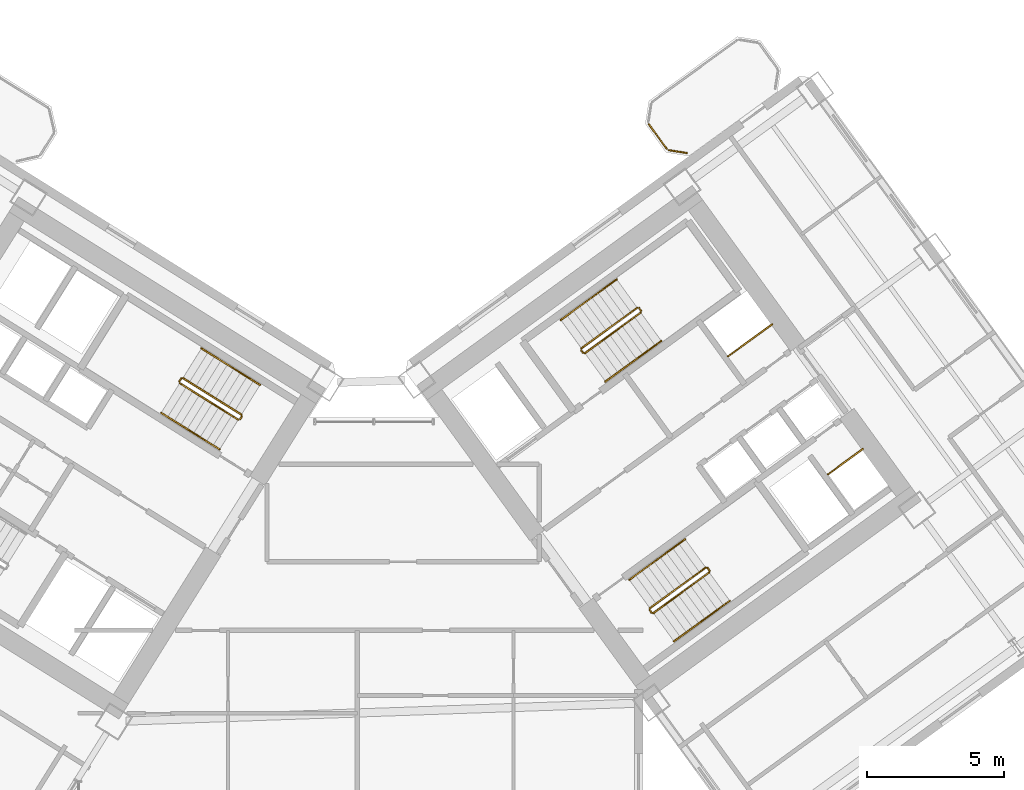
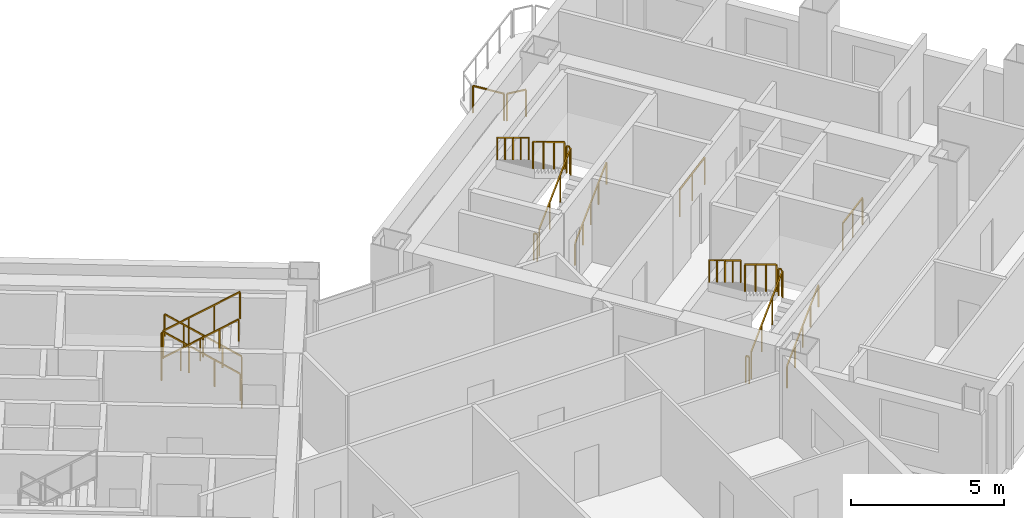
# One storey, part 23 of 24: 28 railings.
"""IFC4 building model written with IfcOpenShell, lengths in metres."""

from ifc_helpers import new_model, si_unit, direction, frame, origin, origin_2d, place, context, subcontext, project, spatial, rectangle, extrude, source, transform, mapped, material, type_object, element, save


model = new_model("IFC4")

# Units and contexts
model_context = context("Model", 3, precision=1e-05, world=origin(), true_north=direction((0.0, 1.0)))
body_context = subcontext(model_context, "Body", "Model", "MODEL_VIEW")
ifc_project = project(units=[si_unit("LENGTHUNIT", "METRE"), si_unit("AREAUNIT", "SQUARE_METRE"), si_unit("VOLUMEUNIT", "CUBIC_METRE"), si_unit("PLANEANGLEUNIT", "RADIAN"), si_unit("MASSUNIT", "GRAM", prefix="KILO")], contexts=[model_context])

# Site, building, storey
site_placement = place(None, origin())
site = spatial("IfcSite", under=ifc_project, at=site_placement, CompositionType="ELEMENT")
building_placement = place(site_placement, origin())
building = spatial("IfcBuilding", under=site, at=building_placement, Name="Tlacorven Tower", CompositionType="ELEMENT")
storey_placement = place(building_placement, frame((0.0, 0.0, 45.60009765625)))
storey = spatial("IfcBuildingStorey", under=building, at=storey_placement, Name="L11", CompositionType="ELEMENT", Elevation=45.60009765625)

# Railings
ifc_material = material(Name="Aluminium and painted steel balustrade", Category="steel")
railing_type_1 = type_object("IfcRailingType", Name="RL-GRD-1100", PredefinedType="GUARDRAIL", material=ifc_material)
shared_shape_1 = source(origin(), body_context, "Body", "SweptSolid", [
    extrude(rectangle(XDim=0.048095703125, YDim=0.048095703125, at=origin_2d()), frame((0.0, 0.0, 1.076171875), z_axis=(0.808947177504, 0.587881334972, 0.0), x_axis=(-0.587881334972, 0.808947177504, 0.0)), (0.0, 0.0, 1.0), 2.0),
    extrude(rectangle(XDim=0.0419921875, YDim=0.0419921875, at=origin_2d()), origin(), (0.0, 0.0, 1.0), 1.052001953125),
    extrude(rectangle(XDim=0.0419921875, YDim=0.0419921875, at=origin_2d()), frame((0.80908203125, 0.587890625, 0.0)), (0.0, 0.0, 1.0), 1.052001953125),
    extrude(rectangle(XDim=0.0419921875, YDim=0.0419921875, at=origin_2d()), frame((1.617919921875, 1.17578125, 0.0)), (0.0, 0.0, 1.0), 1.052001953125),
])
railing_1_placement = place(storey_placement, frame((55.506103515625, 25.438232421875, 0.0)))
element("IfcRailing", 1, at=railing_1_placement, inside=storey, type_object=railing_type_1, Name="L11 Electrical Riser E Shaft Guard 1", PredefinedType="GUARDRAIL", context=body_context, shape_type="MappedRepresentation", body=[
    mapped(shared_shape_1, transform((0.0, 0.0, 0.0), scale=1.0)),
])
shared_shape_2 = source(origin(), body_context, "Body", "SweptSolid", [
    extrude(rectangle(XDim=0.048095703125, YDim=0.048095703125, at=origin_2d()), frame((0.0, 0.0, 1.076171875), z_axis=(0.809029975545, 0.58776738483, 0.0), x_axis=(-0.58776738483, 0.809029975545, 0.0)), (0.0, 0.0, 1.0), 1.580078125),
    extrude(rectangle(XDim=0.0419921875, YDim=0.0419921875, at=origin_2d()), origin(), (0.0, 0.0, 1.0), 1.052001953125),
    extrude(rectangle(XDim=0.0419921875, YDim=0.0419921875, at=origin_2d()), frame((0.63916015625, 0.46435546875, 0.0)), (0.0, 0.0, 1.0), 1.052001953125),
    extrude(rectangle(XDim=0.0419921875, YDim=0.0419921875, at=origin_2d()), frame((1.2783203125, 0.9287109375, 0.0)), (0.0, 0.0, 1.0), 1.052001953125),
])
railing_2_placement = place(storey_placement, frame((59.160888671875, 21.122314453125, 0.0)))
element("IfcRailing", 2, at=railing_2_placement, inside=storey, type_object=railing_type_1, Name="L11 Smoke Riser E Shaft Guard 1", PredefinedType="GUARDRAIL", context=body_context, shape_type="MappedRepresentation", body=[
    mapped(shared_shape_2, transform((0.0, 0.0, 0.0), scale=1.0)),
])
railing_type_2 = type_object("IfcRailingType", Name="RL-BAL-1100", PredefinedType="BALUSTRADE", material=ifc_material)
shared_shape_3 = source(origin(), body_context, "Body", "SweptSolid", [
    extrude(rectangle(XDim=0.048095703125, YDim=0.048095703125, at=origin_2d()), frame((0.0, 0.0, 1.076171875), z_axis=(-0.987718317463, 0.156245081039, 0.0), x_axis=(-0.156245081039, -0.987718317463, 0.0)), (0.0, 0.0, 1.0), 0.66552734375),
    extrude(rectangle(XDim=0.0419921875, YDim=0.0419921875, at=origin_2d()), origin(), (0.0, 0.0, 1.0), 1.052001953125),
    extrude(rectangle(XDim=0.0419921875, YDim=0.0419921875, at=origin_2d()), frame((-0.657470703125, 0.10400390625, 0.0)), (0.0, 0.0, 1.0), 1.052001953125),
])
railing_3_placement = place(storey_placement, frame((54.00341796875, 32.8759765625, 0.0)))
element("IfcRailing", 3, at=railing_3_placement, inside=storey, type_object=railing_type_2, Name="BAL-L11-E-IN Guard Railing 1", PredefinedType="BALUSTRADE", context=body_context, shape_type="MappedRepresentation", body=[
    mapped(shared_shape_3, transform((0.0, 0.0, 0.0), scale=1.0)),
])
shared_shape_4 = source(origin(), body_context, "Body", "SweptSolid", [
    extrude(rectangle(XDim=0.048095703125, YDim=0.048095703125, at=origin_2d()), frame((0.0, 0.0, 1.076171875), z_axis=(-0.587740817519, 0.809049276263, 0.0), x_axis=(-0.809049276263, -0.587740817519, 0.0)), (0.0, 0.0, 1.0), 1.112060546875),
    extrude(rectangle(XDim=0.0419921875, YDim=0.0419921875, at=origin_2d()), origin(), (0.0, 0.0, 1.0), 1.052001953125),
    extrude(rectangle(XDim=0.0419921875, YDim=0.0419921875, at=origin_2d()), frame((-0.653564453125, 0.899658203125, 0.0)), (0.0, 0.0, 1.0), 1.052001953125),
])
railing_4_placement = place(storey_placement, frame((53.26708984375, 33.0283203125, 0.0)))
element("IfcRailing", 4, at=railing_4_placement, inside=storey, type_object=railing_type_2, Name="BAL-L11-E-IN Guard Railing 2", PredefinedType="BALUSTRADE", context=body_context, shape_type="MappedRepresentation", body=[
    mapped(shared_shape_4, transform((0.0, 0.0, 0.0), scale=1.0)),
])
shared_shape_5 = source(origin(), body_context, "Body", "SweptSolid", [
    extrude(rectangle(XDim=0.048095703125, YDim=0.048095703125, at=origin_2d()), frame((0.0, 0.0, 1.076171875), z_axis=(-0.530546985787, -0.847655529016, 0.0), x_axis=(0.847655529016, -0.530546985787, 0.0)), (0.0, 0.0, 1.0), 0.1201171875),
    extrude(rectangle(XDim=0.0419921875, YDim=0.0419921875, at=origin_2d()), origin(), (0.0, 0.0, 1.0), 1.052001953125),
    extrude(rectangle(XDim=0.0419921875, YDim=0.0419921875, at=origin_2d()), frame((-0.063720703125, -0.101806640625, 0.0)), (0.0, 0.0, 1.0), 1.052001953125),
])
railing_5_placement = place(storey_placement, frame((37.728271484375, 23.24072265625, 0.0)))
element("IfcRailing", 5, at=railing_5_placement, inside=storey, type_object=railing_type_1, Name="L11 ST-W2 stair guard 4", PredefinedType="GUARDRAIL", context=body_context, shape_type="MappedRepresentation", body=[
    mapped(shared_shape_5, transform((0.0, 0.0, 0.0), scale=1.0)),
])
railing_type_3 = type_object("IfcRailingType", Name="RL-HND-0900", PredefinedType="HANDRAIL", material=ifc_material)
shared_shape_6 = source(origin(), body_context, "Body", "SweptSolid", [
    extrude(rectangle(XDim=0.048095703125, YDim=0.048095703125, at=origin_2d()), frame((0.0, 0.0, 0.8759765625), z_axis=(-0.713359751793, 0.4457479829, 0.540764828981), x_axis=(-0.529911857636, -0.848052724267, 0.0)), (0.0, 0.0, 1.0), 1.498046875),
    extrude(rectangle(XDim=0.0419921875, YDim=0.0419921875, at=origin_2d()), origin(), (0.0, 0.0, 1.0), 0.851806640625),
    extrude(rectangle(XDim=0.0419921875, YDim=0.0419921875, at=origin_2d()), frame((-0.5341796875, 0.333984375, 0.405029296875)), (0.0, 0.0, 1.0), 0.851806640625),
    extrude(rectangle(XDim=0.0419921875, YDim=0.0419921875, at=origin_2d()), frame((-1.068603515625, 0.667724609375, 0.81005859375)), (0.0, 0.0, 1.0), 0.851806640625),
])
railing_6_placement = place(storey_placement, frame((38.390625, 24.39501953125, 0.179931640625)))
element("IfcRailing", 6, at=railing_6_placement, inside=storey, type_object=railing_type_3, Name="L11 ST-W2 stair handrail 1", PredefinedType="HANDRAIL", context=body_context, shape_type="MappedRepresentation", body=[
    mapped(shared_shape_6, transform((0.0, 0.0, 0.0), scale=1.0)),
])
shared_shape_7 = source(origin(), body_context, "Body", "SweptSolid", [
    extrude(rectangle(XDim=0.048095703125, YDim=0.048095703125, at=origin_2d()), frame((0.0, 0.0, 0.8759765625), z_axis=(0.713359751793, -0.4457479829, 0.540764828981), x_axis=(0.529911857636, 0.848052724267, 0.0)), (0.0, 0.0, 1.0), 1.498046875),
    extrude(rectangle(XDim=0.0419921875, YDim=0.0419921875, at=origin_2d()), origin(), (0.0, 0.0, 1.0), 0.851806640625),
    extrude(rectangle(XDim=0.0419921875, YDim=0.0419921875, at=origin_2d()), frame((0.5341796875, -0.333984375, 0.405029296875)), (0.0, 0.0, 1.0), 0.851806640625),
    extrude(rectangle(XDim=0.0419921875, YDim=0.0419921875, at=origin_2d()), frame((1.068603515625, -0.667724609375, 0.81005859375)), (0.0, 0.0, 1.0), 0.851806640625),
])
railing_7_placement = place(storey_placement, frame((35.848876953125, 22.705078125, 2.789794921875)))
element("IfcRailing", 7, at=railing_7_placement, inside=storey, type_object=railing_type_3, Name="L11 ST-W2 stair handrail 4", PredefinedType="HANDRAIL", context=body_context, shape_type="MappedRepresentation", body=[
    mapped(shared_shape_7, transform((0.0, 0.0, 0.0), scale=1.0)),
])
shared_shape_8 = source(origin(), body_context, "Body", "SweptSolid", [
    extrude(rectangle(XDim=0.048095703125, YDim=0.048095703125, at=origin_2d()), frame((0.0, 0.0, 1.076171875), z_axis=(-0.713351164325, 0.445793541512, 0.540738601085), x_axis=(-0.529955395941, -0.84802551749, 0.0)), (0.0, 0.0, 1.0), 2.99560546875),
    extrude(rectangle(XDim=0.0419921875, YDim=0.0419921875, at=origin_2d()), origin(), (0.0, 0.0, 1.0), 1.052001953125),
    extrude(rectangle(XDim=0.0419921875, YDim=0.0419921875, at=origin_2d()), frame((-0.71240234375, 0.445068359375, 0.5400390625)), (0.0, 0.0, 1.0), 1.052001953125),
    extrude(rectangle(XDim=0.0419921875, YDim=0.0419921875, at=origin_2d()), frame((-1.424560546875, 0.890380859375, 1.079833984375)), (0.0, 0.0, 1.0), 1.052001953125),
    extrude(rectangle(XDim=0.0419921875, YDim=0.0419921875, at=origin_2d()), frame((-2.136962890625, 1.33544921875, 1.619873046875)), (0.0, 0.0, 1.0), 1.052001953125),
])
railing_8_placement = place(storey_placement, frame((37.712158203125, 23.3095703125, 0.179931640625)))
element("IfcRailing", 8, at=railing_8_placement, inside=storey, type_object=railing_type_1, Name="L11 ST-W2 stair guard 1", PredefinedType="GUARDRAIL", context=body_context, shape_type="MappedRepresentation", body=[
    mapped(shared_shape_8, transform((0.0, 0.0, 0.0), scale=1.0)),
])
shared_shape_9 = source(origin(), body_context, "Body", "SweptSolid", [
    extrude(rectangle(XDim=0.048095703125, YDim=0.048095703125, at=origin_2d()), frame((0.0, 0.0, 0.8759765625), z_axis=(-0.713422621445, 0.445787267455, 0.540649494022), x_axis=(-0.529911857636, -0.848052724267, 0.0)), (0.0, 0.0, 1.0), 1.497802734375),
    extrude(rectangle(XDim=0.0419921875, YDim=0.0419921875, at=origin_2d()), origin(), (0.0, 0.0, 1.0), 0.851806640625),
    extrude(rectangle(XDim=0.0419921875, YDim=0.0419921875, at=origin_2d()), frame((-0.5341796875, 0.333984375, 0.40478515625)), (0.0, 0.0, 1.0), 0.851806640625),
    extrude(rectangle(XDim=0.0419921875, YDim=0.0419921875, at=origin_2d()), frame((-1.068603515625, 0.667724609375, 0.809814453125)), (0.0, 0.0, 1.0), 0.851806640625),
])
railing_9_placement = place(storey_placement, frame((37.322021484375, 25.062744140625, 0.989990234375)))
element("IfcRailing", 9, at=railing_9_placement, inside=storey, type_object=railing_type_3, Name="L11 ST-W2 stair handrail 2", PredefinedType="HANDRAIL", context=body_context, shape_type="MappedRepresentation", body=[
    mapped(shared_shape_9, transform((0.0, 0.0, 0.0), scale=1.0)),
])
shared_shape_10 = source(origin(), body_context, "Body", "SweptSolid", [
    extrude(rectangle(XDim=0.048095703125, YDim=0.048095703125, at=origin_2d()), frame((0.0, 0.0, 0.8759765625), z_axis=(0.713422621445, -0.445787267455, 0.540649494022), x_axis=(0.529911857636, 0.848052724267, 0.0)), (0.0, 0.0, 1.0), 1.497802734375),
    extrude(rectangle(XDim=0.0419921875, YDim=0.0419921875, at=origin_2d()), origin(), (0.0, 0.0, 1.0), 0.851806640625),
    extrude(rectangle(XDim=0.0419921875, YDim=0.0419921875, at=origin_2d()), frame((0.5341796875, -0.333984375, 0.40478515625)), (0.0, 0.0, 1.0), 0.851806640625),
    extrude(rectangle(XDim=0.0419921875, YDim=0.0419921875, at=origin_2d()), frame((1.068603515625, -0.667724609375, 0.809814453125)), (0.0, 0.0, 1.0), 0.851806640625),
])
railing_10_placement = place(storey_placement, frame((34.7802734375, 23.372802734375, 1.97998046875)))
element("IfcRailing", 10, at=railing_10_placement, inside=storey, type_object=railing_type_3, Name="L11 ST-W2 stair handrail 3", PredefinedType="HANDRAIL", context=body_context, shape_type="MappedRepresentation", body=[
    mapped(shared_shape_10, transform((0.0, 0.0, 0.0), scale=1.0)),
])
shared_shape_11 = source(origin(), body_context, "Body", "SweptSolid", [
    extrude(rectangle(XDim=0.048095703125, YDim=0.048095703125, at=origin_2d()), frame((0.0, 0.0, 1.076171875), z_axis=(-0.531462422766, -0.847081869236, 0.0), x_axis=(0.847081869236, -0.531462422766, 0.0)), (0.0, 0.0, 1.0), 0.119873046875),
    extrude(rectangle(XDim=0.0419921875, YDim=0.0419921875, at=origin_2d()), origin(), (0.0, 0.0, 1.0), 1.052001953125),
    extrude(rectangle(XDim=0.0419921875, YDim=0.0419921875, at=origin_2d()), frame((-0.063720703125, -0.1015625, 0.0)), (0.0, 0.0, 1.0), 1.052001953125),
])
railing_11_placement = place(storey_placement, frame((35.50634765625, 24.62890625, 1.7998046875)))
element("IfcRailing", 11, at=railing_11_placement, inside=storey, type_object=railing_type_1, Name="L11 ST-W2 stair guard 2", PredefinedType="GUARDRAIL", context=body_context, shape_type="MappedRepresentation", body=[
    mapped(shared_shape_11, transform((0.0, 0.0, 0.0), scale=1.0)),
])
shared_shape_12 = source(origin(), body_context, "Body", "SweptSolid", [
    extrude(rectangle(XDim=0.048095703125, YDim=0.048095703125, at=origin_2d()), frame((0.0, 0.0, 1.076171875), z_axis=(0.713417101326, -0.445702322042, 0.540726806865), x_axis=(0.52984217967, 0.848096259066, 0.0)), (0.0, 0.0, 1.0), 2.995849609375),
    extrude(rectangle(XDim=0.0419921875, YDim=0.0419921875, at=origin_2d()), origin(), (0.0, 0.0, 1.0), 1.052001953125),
    extrude(rectangle(XDim=0.0419921875, YDim=0.0419921875, at=origin_2d()), frame((0.71240234375, -0.445068359375, 0.5400390625)), (0.0, 0.0, 1.0), 1.052001953125),
    extrude(rectangle(XDim=0.0419921875, YDim=0.0419921875, at=origin_2d()), frame((1.4248046875, -0.89013671875, 1.079833984375)), (0.0, 0.0, 1.0), 1.052001953125),
    extrude(rectangle(XDim=0.0419921875, YDim=0.0419921875, at=origin_2d()), frame((2.13720703125, -1.335205078125, 1.619873046875)), (0.0, 0.0, 1.0), 1.052001953125),
])
railing_12_placement = place(storey_placement, frame((35.45849609375, 24.458251953125, 1.97998046875)))
element("IfcRailing", 12, at=railing_12_placement, inside=storey, type_object=railing_type_1, Name="L11 ST-W2 stair guard 3", PredefinedType="GUARDRAIL", context=body_context, shape_type="MappedRepresentation", body=[
    mapped(shared_shape_12, transform((0.0, 0.0, 0.0), scale=1.0)),
])
shared_shape_13 = source(origin(), body_context, "Body", "SweptSolid", [
    extrude(rectangle(XDim=0.048095703125, YDim=0.048095703125, at=origin_2d()), frame((0.0, 0.0, 1.076171875), z_axis=(-0.587567097037, 0.809175448515, 0.0), x_axis=(-0.809175448515, -0.587567097037, 0.0)), (0.0, 0.0, 1.0), 0.1201171875),
    extrude(rectangle(XDim=0.0419921875, YDim=0.0419921875, at=origin_2d()), origin(), (0.0, 0.0, 1.0), 1.052001953125),
    extrude(rectangle(XDim=0.0419921875, YDim=0.0419921875, at=origin_2d()), frame((-0.070556640625, 0.09716796875, 0.0)), (0.0, 0.0, 1.0), 1.052001953125),
])
for number, where, name in (
    (13, (54.8310546875, 17.605712890625, 1.7998046875), "L11 ST-E2 stair guard 2"),
    (14, (52.71142578125, 16.065673828125, 0.0), "L11 ST-E2 stair guard 4"),
):
    element("IfcRailing", number, at=place(storey_placement, frame(where)), inside=storey, type_object=railing_type_1, Name=name, PredefinedType="GUARDRAIL", context=body_context, shape_type="MappedRepresentation", body=[
        mapped(shared_shape_13, transform((0.0, 0.0, 0.0), scale=1.0)),
    ])
shared_shape_14 = source(origin(), body_context, "Body", "SweptSolid", [
    extrude(rectangle(XDim=0.048095703125, YDim=0.048095703125, at=origin_2d()), frame((0.0, 0.0, 1.076171875), z_axis=(-0.587201422542, 0.809440849824, 0.0), x_axis=(-0.809440849824, -0.587201422542, 0.0)), (0.0, 0.0, 1.0), 0.11962890625),
    extrude(rectangle(XDim=0.0419921875, YDim=0.0419921875, at=origin_2d()), origin(), (0.0, 0.0, 1.0), 1.052001953125),
    extrude(rectangle(XDim=0.0419921875, YDim=0.0419921875, at=origin_2d()), frame((-0.0703125, 0.096923828125, 0.0)), (0.0, 0.0, 1.0), 1.052001953125),
])
for number, where, name in (
    (15, (52.326904296875, 27.10888671875, 1.7998046875), "L11 ST-E1 stair guard 2"),
    (16, (50.207275390625, 25.56884765625, 0.0), "L11 ST-E1 stair guard 4"),
):
    element("IfcRailing", number, at=place(storey_placement, frame(where)), inside=storey, type_object=railing_type_1, Name=name, PredefinedType="GUARDRAIL", context=body_context, shape_type="MappedRepresentation", body=[
        mapped(shared_shape_14, transform((0.0, 0.0, 0.0), scale=1.0)),
    ])
shared_shape_15 = source(origin(), body_context, "Body", "SweptSolid", [
    extrude(rectangle(XDim=0.048095703125, YDim=0.048095703125, at=origin_2d()), frame((0.0, 0.0, 0.8759765625), z_axis=(0.680516055757, 0.494372502302, 0.540826891737), x_axis=(-0.587745292299, 0.809046025502, 0.0)), (0.0, 0.0, 1.0), 1.497802734375),
    extrude(rectangle(XDim=0.0419921875, YDim=0.0419921875, at=origin_2d()), origin(), (0.0, 0.0, 1.0), 0.851806640625),
    extrude(rectangle(XDim=0.0419921875, YDim=0.0419921875, at=origin_2d()), frame((0.509765625, 0.3701171875, 0.405029296875)), (0.0, 0.0, 1.0), 0.851806640625),
    extrude(rectangle(XDim=0.0419921875, YDim=0.0419921875, at=origin_2d()), frame((1.019287109375, 0.740478515625, 0.81005859375)), (0.0, 0.0, 1.0), 0.851806640625),
])
railing_13_placement = place(storey_placement, frame((51.029541015625, 24.522216796875, 0.179931640625)))
element("IfcRailing", 17, at=railing_13_placement, inside=storey, type_object=railing_type_3, Name="L11 ST-E1 stair handrail 1", PredefinedType="HANDRAIL", context=body_context, shape_type="MappedRepresentation", body=[
    mapped(shared_shape_15, transform((0.0, 0.0, 0.0), scale=1.0)),
])
shared_shape_16 = source(origin(), body_context, "Body", "SweptSolid", [
    extrude(rectangle(XDim=0.048095703125, YDim=0.048095703125, at=origin_2d()), frame((0.0, 0.0, 0.8759765625), z_axis=(-0.680461216233, -0.494495647917, 0.540783309093), x_axis=(0.587872112667, -0.808953879494, 0.0)), (0.0, 0.0, 1.0), 1.498046875),
    extrude(rectangle(XDim=0.0419921875, YDim=0.0419921875, at=origin_2d()), origin(), (0.0, 0.0, 1.0), 0.851806640625),
    extrude(rectangle(XDim=0.0419921875, YDim=0.0419921875, at=origin_2d()), frame((-0.509765625, -0.370361328125, 0.405029296875)), (0.0, 0.0, 1.0), 0.851806640625),
    extrude(rectangle(XDim=0.0419921875, YDim=0.0419921875, at=origin_2d()), frame((-1.019287109375, -0.74072265625, 0.81005859375)), (0.0, 0.0, 1.0), 0.851806640625),
])
for number, where, name in (
    (18, (50.414794921875, 27.511962890625, 2.789794921875), "L11 ST-E1 stair handrail 4"),
    (19, (52.9189453125, 18.0087890625, 2.789794921875), "L11 ST-E2 stair handrail 4"),
):
    element("IfcRailing", number, at=place(storey_placement, frame(where)), inside=storey, type_object=railing_type_3, Name=name, PredefinedType="HANDRAIL", context=body_context, shape_type="MappedRepresentation", body=[
        mapped(shared_shape_16, transform((0.0, 0.0, 0.0), scale=1.0)),
    ])
shared_shape_17 = source(origin(), body_context, "Body", "SweptSolid", [
    extrude(rectangle(XDim=0.048095703125, YDim=0.048095703125, at=origin_2d()), frame((0.0, 0.0, 1.076171875), z_axis=(0.680518627673, 0.494455869951, 0.540747436481), x_axis=(-0.5878087079, 0.808999952359, 0.0)), (0.0, 0.0, 1.0), 2.99560546875),
    extrude(rectangle(XDim=0.0419921875, YDim=0.0419921875, at=origin_2d()), origin(), (0.0, 0.0, 1.0), 1.052001953125),
    extrude(rectangle(XDim=0.0419921875, YDim=0.0419921875, at=origin_2d()), frame((0.679443359375, 0.49365234375, 0.5400390625)), (0.0, 0.0, 1.0), 1.052001953125),
    extrude(rectangle(XDim=0.0419921875, YDim=0.0419921875, at=origin_2d()), frame((1.359130859375, 0.987548828125, 1.079833984375)), (0.0, 0.0, 1.0), 1.052001953125),
    extrude(rectangle(XDim=0.0419921875, YDim=0.0419921875, at=origin_2d()), frame((2.03857421875, 1.481201171875, 1.619873046875)), (0.0, 0.0, 1.0), 1.052001953125),
])
railing_14_placement = place(storey_placement, frame((50.27734375, 25.557861328125, 0.179931640625)))
element("IfcRailing", 20, at=railing_14_placement, inside=storey, type_object=railing_type_1, Name="L11 ST-E1 stair guard 1", PredefinedType="GUARDRAIL", context=body_context, shape_type="MappedRepresentation", body=[
    mapped(shared_shape_17, transform((0.0, 0.0, 0.0), scale=1.0)),
])
shared_shape_18 = source(origin(), body_context, "Body", "SweptSolid", [
    extrude(rectangle(XDim=0.048095703125, YDim=0.048095703125, at=origin_2d()), frame((0.0, 0.0, 1.076171875), z_axis=(-0.680518627673, -0.494455869951, 0.540747436481), x_axis=(0.5878087079, -0.808999952359, 0.0)), (0.0, 0.0, 1.0), 2.99560546875),
    extrude(rectangle(XDim=0.0419921875, YDim=0.0419921875, at=origin_2d()), origin(), (0.0, 0.0, 1.0), 1.052001953125),
    extrude(rectangle(XDim=0.0419921875, YDim=0.0419921875, at=origin_2d()), frame((-0.679443359375, -0.49365234375, 0.5400390625)), (0.0, 0.0, 1.0), 1.052001953125),
    extrude(rectangle(XDim=0.0419921875, YDim=0.0419921875, at=origin_2d()), frame((-1.359130859375, -0.987548828125, 1.079833984375)), (0.0, 0.0, 1.0), 1.052001953125),
    extrude(rectangle(XDim=0.0419921875, YDim=0.0419921875, at=origin_2d()), frame((-2.03857421875, -1.481201171875, 1.619873046875)), (0.0, 0.0, 1.0), 1.052001953125),
])
railing_15_placement = place(storey_placement, frame((52.1865234375, 27.217041015625, 1.97998046875)))
element("IfcRailing", 21, at=railing_15_placement, inside=storey, type_object=railing_type_1, Name="L11 ST-E1 stair guard 3", PredefinedType="GUARDRAIL", context=body_context, shape_type="MappedRepresentation", body=[
    mapped(shared_shape_18, transform((0.0, 0.0, 0.0), scale=1.0)),
])
shared_shape_19 = source(origin(), body_context, "Body", "SweptSolid", [
    extrude(rectangle(XDim=0.048095703125, YDim=0.048095703125, at=origin_2d()), frame((0.0, 0.0, 0.8759765625), z_axis=(0.680608688748, 0.494484377792, 0.540608003012), x_axis=(-0.587779977844, 0.80902082646, 0.0)), (0.0, 0.0, 1.0), 1.498046875),
    extrude(rectangle(XDim=0.0419921875, YDim=0.0419921875, at=origin_2d()), origin(), (0.0, 0.0, 1.0), 0.851806640625),
    extrude(rectangle(XDim=0.0419921875, YDim=0.0419921875, at=origin_2d()), frame((0.509765625, 0.370361328125, 0.40478515625)), (0.0, 0.0, 1.0), 0.851806640625),
    extrude(rectangle(XDim=0.0419921875, YDim=0.0419921875, at=origin_2d()), frame((1.01953125, 0.74072265625, 0.809814453125)), (0.0, 0.0, 1.0), 0.851806640625),
])
railing_16_placement = place(storey_placement, frame((52.048828125, 25.2626953125, 0.989990234375)))
element("IfcRailing", 22, at=railing_16_placement, inside=storey, type_object=railing_type_3, Name="L11 ST-E1 stair handrail 2", PredefinedType="HANDRAIL", context=body_context, shape_type="MappedRepresentation", body=[
    mapped(shared_shape_19, transform((0.0, 0.0, 0.0), scale=1.0)),
])
shared_shape_20 = source(origin(), body_context, "Body", "SweptSolid", [
    extrude(rectangle(XDim=0.048095703125, YDim=0.048095703125, at=origin_2d()), frame((0.0, 0.0, 0.8759765625), z_axis=(-0.680663537655, -0.494361233168, 0.540651569541), x_axis=(0.587653156371, -0.809112951205, 0.0)), (0.0, 0.0, 1.0), 1.497802734375),
    extrude(rectangle(XDim=0.0419921875, YDim=0.0419921875, at=origin_2d()), origin(), (0.0, 0.0, 1.0), 0.851806640625),
    extrude(rectangle(XDim=0.0419921875, YDim=0.0419921875, at=origin_2d()), frame((-0.509765625, -0.3701171875, 0.40478515625)), (0.0, 0.0, 1.0), 0.851806640625),
    extrude(rectangle(XDim=0.0419921875, YDim=0.0419921875, at=origin_2d()), frame((-1.01953125, -0.740478515625, 0.809814453125)), (0.0, 0.0, 1.0), 0.851806640625),
])
railing_17_placement = place(storey_placement, frame((51.434326171875, 28.25244140625, 1.97998046875)))
element("IfcRailing", 23, at=railing_17_placement, inside=storey, type_object=railing_type_3, Name="L11 ST-E1 stair handrail 3", PredefinedType="HANDRAIL", context=body_context, shape_type="MappedRepresentation", body=[
    mapped(shared_shape_20, transform((0.0, 0.0, 0.0), scale=1.0)),
])
shared_shape_21 = source(origin(), body_context, "Body", "SweptSolid", [
    extrude(rectangle(XDim=0.048095703125, YDim=0.048095703125, at=origin_2d()), frame((0.0, 0.0, 0.8759765625), z_axis=(0.680576044605, 0.494416082224, 0.54071155448), x_axis=(-0.587745292299, 0.809046025502, 0.0)), (0.0, 0.0, 1.0), 1.497802734375),
    extrude(rectangle(XDim=0.0419921875, YDim=0.0419921875, at=origin_2d()), origin(), (0.0, 0.0, 1.0), 0.851806640625),
    extrude(rectangle(XDim=0.0419921875, YDim=0.0419921875, at=origin_2d()), frame((0.509765625, 0.3701171875, 0.40478515625)), (0.0, 0.0, 1.0), 0.851806640625),
    extrude(rectangle(XDim=0.0419921875, YDim=0.0419921875, at=origin_2d()), frame((1.019287109375, 0.740478515625, 0.809814453125)), (0.0, 0.0, 1.0), 0.851806640625),
])
railing_18_placement = place(storey_placement, frame((54.552978515625, 15.759765625, 0.989990234375)))
element("IfcRailing", 24, at=railing_18_placement, inside=storey, type_object=railing_type_3, Name="L11 ST-E2 stair handrail 2", PredefinedType="HANDRAIL", context=body_context, shape_type="MappedRepresentation", body=[
    mapped(shared_shape_21, transform((0.0, 0.0, 0.0), scale=1.0)),
])
shared_shape_22 = source(origin(), body_context, "Body", "SweptSolid", [
    extrude(rectangle(XDim=0.048095703125, YDim=0.048095703125, at=origin_2d()), frame((0.0, 0.0, 0.8759765625), z_axis=(0.680461216233, 0.494495647917, 0.540783309093), x_axis=(-0.587872112667, 0.808953879494, 0.0)), (0.0, 0.0, 1.0), 1.498046875),
    extrude(rectangle(XDim=0.0419921875, YDim=0.0419921875, at=origin_2d()), origin(), (0.0, 0.0, 1.0), 0.851806640625),
    extrude(rectangle(XDim=0.0419921875, YDim=0.0419921875, at=origin_2d()), frame((0.509765625, 0.370361328125, 0.405029296875)), (0.0, 0.0, 1.0), 0.851806640625),
    extrude(rectangle(XDim=0.0419921875, YDim=0.0419921875, at=origin_2d()), frame((1.019287109375, 0.74072265625, 0.81005859375)), (0.0, 0.0, 1.0), 0.851806640625),
])
railing_19_placement = place(storey_placement, frame((53.53369140625, 15.01904296875, 0.179931640625)))
element("IfcRailing", 25, at=railing_19_placement, inside=storey, type_object=railing_type_3, Name="L11 ST-E2 stair handrail 1", PredefinedType="HANDRAIL", context=body_context, shape_type="MappedRepresentation", body=[
    mapped(shared_shape_22, transform((0.0, 0.0, 0.0), scale=1.0)),
])
shared_shape_23 = source(origin(), body_context, "Body", "SweptSolid", [
    extrude(rectangle(XDim=0.048095703125, YDim=0.048095703125, at=origin_2d()), frame((0.0, 0.0, 1.076171875), z_axis=(0.680562380517, 0.494428447203, 0.540717446381), x_axis=(-0.587762637553, 0.809033424462, 0.0)), (0.0, 0.0, 1.0), 2.995849609375),
    extrude(rectangle(XDim=0.0419921875, YDim=0.0419921875, at=origin_2d()), origin(), (0.0, 0.0, 1.0), 1.052001953125),
    extrude(rectangle(XDim=0.0419921875, YDim=0.0419921875, at=origin_2d()), frame((0.6796875, 0.49365234375, 0.5400390625)), (0.0, 0.0, 1.0), 1.052001953125),
    extrude(rectangle(XDim=0.0419921875, YDim=0.0419921875, at=origin_2d()), frame((1.359130859375, 0.987548828125, 1.079833984375)), (0.0, 0.0, 1.0), 1.052001953125),
    extrude(rectangle(XDim=0.0419921875, YDim=0.0419921875, at=origin_2d()), frame((2.038818359375, 1.481201171875, 1.619873046875)), (0.0, 0.0, 1.0), 1.052001953125),
])
railing_20_placement = place(storey_placement, frame((52.78125, 16.0546875, 0.179931640625)))
element("IfcRailing", 26, at=railing_20_placement, inside=storey, type_object=railing_type_1, Name="L11 ST-E2 stair guard 1", PredefinedType="GUARDRAIL", context=body_context, shape_type="MappedRepresentation", body=[
    mapped(shared_shape_23, transform((0.0, 0.0, 0.0), scale=1.0)),
])
shared_shape_24 = source(origin(), body_context, "Body", "SweptSolid", [
    extrude(rectangle(XDim=0.048095703125, YDim=0.048095703125, at=origin_2d()), frame((0.0, 0.0, 1.076171875), z_axis=(-0.680562380517, -0.494428447203, 0.540717446381), x_axis=(0.587762637553, -0.809033424462, 0.0)), (0.0, 0.0, 1.0), 2.995849609375),
    extrude(rectangle(XDim=0.0419921875, YDim=0.0419921875, at=origin_2d()), origin(), (0.0, 0.0, 1.0), 1.052001953125),
    extrude(rectangle(XDim=0.0419921875, YDim=0.0419921875, at=origin_2d()), frame((-0.6796875, -0.49365234375, 0.5400390625)), (0.0, 0.0, 1.0), 1.052001953125),
    extrude(rectangle(XDim=0.0419921875, YDim=0.0419921875, at=origin_2d()), frame((-1.359130859375, -0.987548828125, 1.079833984375)), (0.0, 0.0, 1.0), 1.052001953125),
    extrude(rectangle(XDim=0.0419921875, YDim=0.0419921875, at=origin_2d()), frame((-2.038818359375, -1.481201171875, 1.619873046875)), (0.0, 0.0, 1.0), 1.052001953125),
])
railing_21_placement = place(storey_placement, frame((54.690673828125, 17.7138671875, 1.97998046875)))
element("IfcRailing", 27, at=railing_21_placement, inside=storey, type_object=railing_type_1, Name="L11 ST-E2 stair guard 3", PredefinedType="GUARDRAIL", context=body_context, shape_type="MappedRepresentation", body=[
    mapped(shared_shape_24, transform((0.0, 0.0, 0.0), scale=1.0)),
])
shared_shape_25 = source(origin(), body_context, "Body", "SweptSolid", [
    extrude(rectangle(XDim=0.048095703125, YDim=0.048095703125, at=origin_2d()), frame((0.0, 0.0, 0.8759765625), z_axis=(-0.680576044605, -0.494416082224, 0.54071155448), x_axis=(0.587745292299, -0.809046025502, 0.0)), (0.0, 0.0, 1.0), 1.497802734375),
    extrude(rectangle(XDim=0.0419921875, YDim=0.0419921875, at=origin_2d()), origin(), (0.0, 0.0, 1.0), 0.851806640625),
    extrude(rectangle(XDim=0.0419921875, YDim=0.0419921875, at=origin_2d()), frame((-0.509765625, -0.3701171875, 0.40478515625)), (0.0, 0.0, 1.0), 0.851806640625),
    extrude(rectangle(XDim=0.0419921875, YDim=0.0419921875, at=origin_2d()), frame((-1.019287109375, -0.740478515625, 0.809814453125)), (0.0, 0.0, 1.0), 0.851806640625),
])
railing_22_placement = place(storey_placement, frame((53.938232421875, 18.749267578125, 1.97998046875)))
element("IfcRailing", 28, at=railing_22_placement, inside=storey, type_object=railing_type_3, Name="L11 ST-E2 stair handrail 3", PredefinedType="HANDRAIL", context=body_context, shape_type="MappedRepresentation", body=[
    mapped(shared_shape_25, transform((0.0, 0.0, 0.0), scale=1.0)),
])

save(model, "model.ifc")
